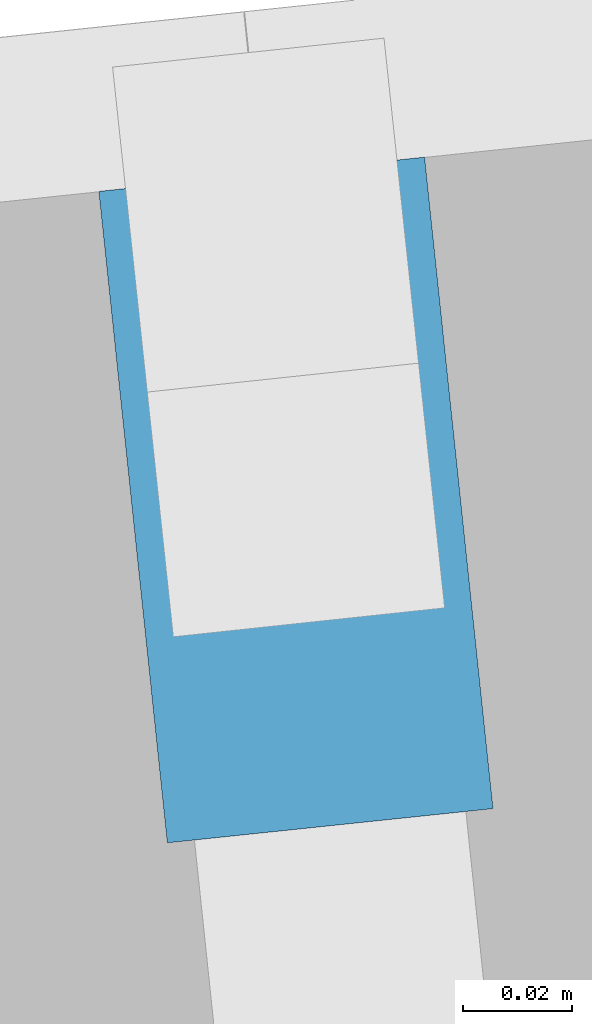
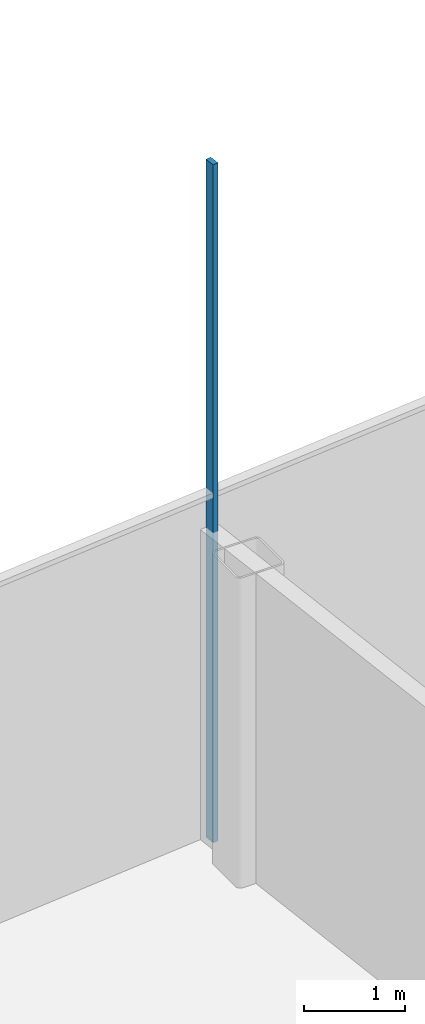
# One storey, part 10 of 41: 1 member, 1 element without a shape of its own.
"""IFC4 building model written with IfcOpenShell, lengths in metres."""

from ifc_helpers import new_model, si_unit, direction, frame, origin, origin_2d, place, context, subcontext, project, spatial, rectangle, extrude, material, layer, layer_set, material_profile, profile_set, type_object, element, aggregate, save


model = new_model("IFC4")

# Units and contexts
model_context = context("Model", 3, precision=1e-05, world=origin(), true_north=direction((0.0, 1.0)))
body_context = subcontext(model_context, "Body", "Model", "MODEL_VIEW")
ifc_project = project(units=[si_unit("LENGTHUNIT", "METRE"), si_unit("AREAUNIT", "SQUARE_METRE"), si_unit("VOLUMEUNIT", "CUBIC_METRE"), si_unit("PLANEANGLEUNIT", "RADIAN"), si_unit("MASSUNIT", "GRAM", prefix="KILO")], contexts=[model_context])

# Site, building, storey
site_placement = place(None, origin())
site = spatial("IfcSite", under=ifc_project, at=site_placement, CompositionType="ELEMENT")
building_placement = place(site_placement, origin())
building = spatial("IfcBuilding", under=site, at=building_placement, Name="Hakoniwa Tower and Hamabe Station Hall", CompositionType="ELEMENT")
storey_placement = place(building_placement, frame((0.0, 0.0, 276.60009765625)))
storey = spatial("IfcBuildingStorey", under=building, at=storey_placement, Name="L77", CompositionType="ELEMENT", Elevation=276.60009765625)

# Curtain wall, member
ifc_material_1 = material(Name="Dark low-e laminated glass", Category="glass")
ifc_layer = layer(ifc_material_1, 0.199951171875)
ifc_layer_set = layer_set([ifc_layer], Name="CW-4 CROWN FACETS")
curtain_wall_type = type_object("IfcCurtainWallType", Name="CW-4 CROWN FACETS", PredefinedType="NOTDEFINED", material=ifc_layer_set)
curtain_wall_placement = place(storey_placement, origin())
curtain_wall = element("IfcCurtainWall", 1, at=curtain_wall_placement, inside=storey, type_object=curtain_wall_type, Name="Crown skirt facet L77", PredefinedType="NOTDEFINED")
ifc_material_2 = material(Name="Aluminium 6063-T5 black anodised", Category="aluminium")
ifc_material_profile = material_profile(ifc_material_2, rectangle(XDim=0.06005859375, YDim=0.1201171875, at=origin_2d()), Name="CW-4 GLAZING BAR 60X120")
ifc_profile_set = profile_set([ifc_material_profile], Name="Aluminium 6063-T5 black anodised")
member_type = type_object("IfcMemberType", Name="CW-4 GLAZING BAR 60X120", PredefinedType="MULLION", material=ifc_profile_set)
member_placement = place(storey_placement, frame((-1.798828125, 19.61572265625, 0.0), z_axis=(0.0, 0.0, 1.0), x_axis=(0.994521896233, 0.10452845504, 0.0)))
member = element("IfcMember", 2, at=member_placement, type_object=member_type, Name="Crown glazing bar", PredefinedType="MULLION", context=body_context, shape_type="SweptSolid", body=[
    extrude(rectangle(XDim=0.06005859375, YDim=0.1201171875, at=origin_2d()), origin(), (0.0, 0.0, 1.0), 8.199951171875),
])
aggregate(curtain_wall, [member])

save(model, "model.ifc")
